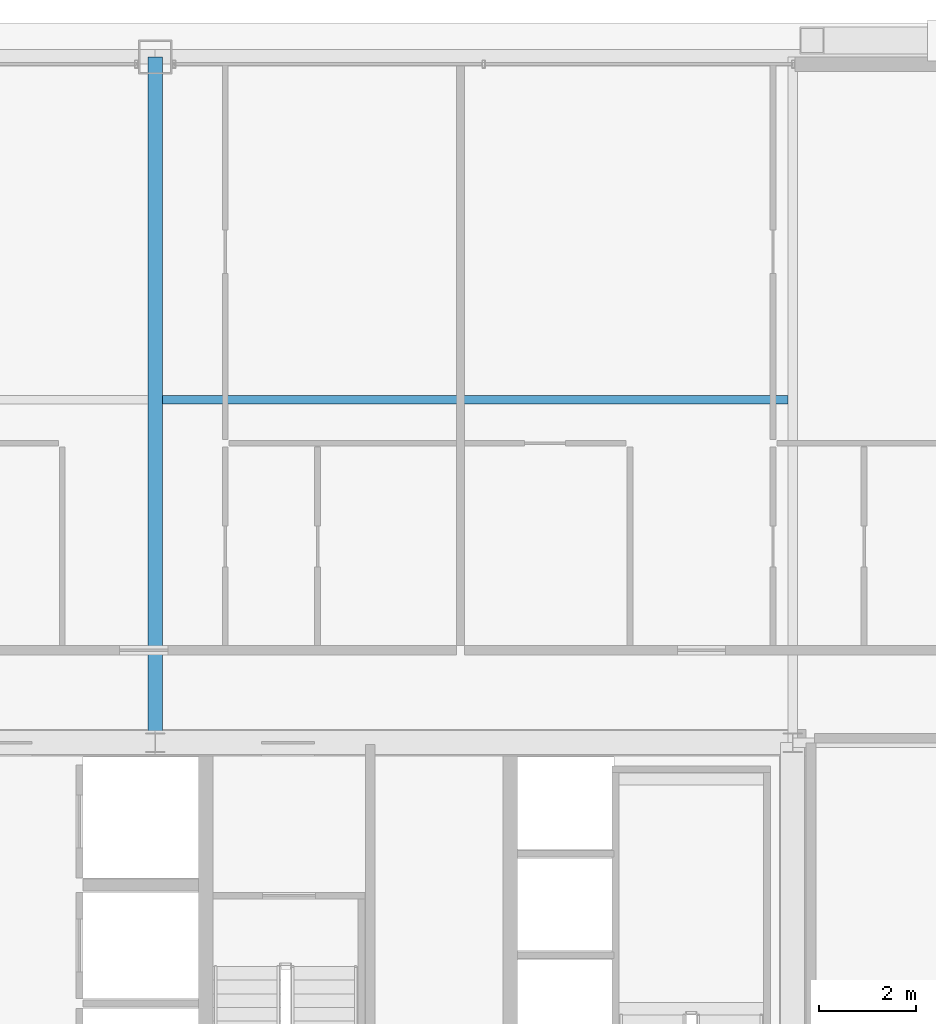
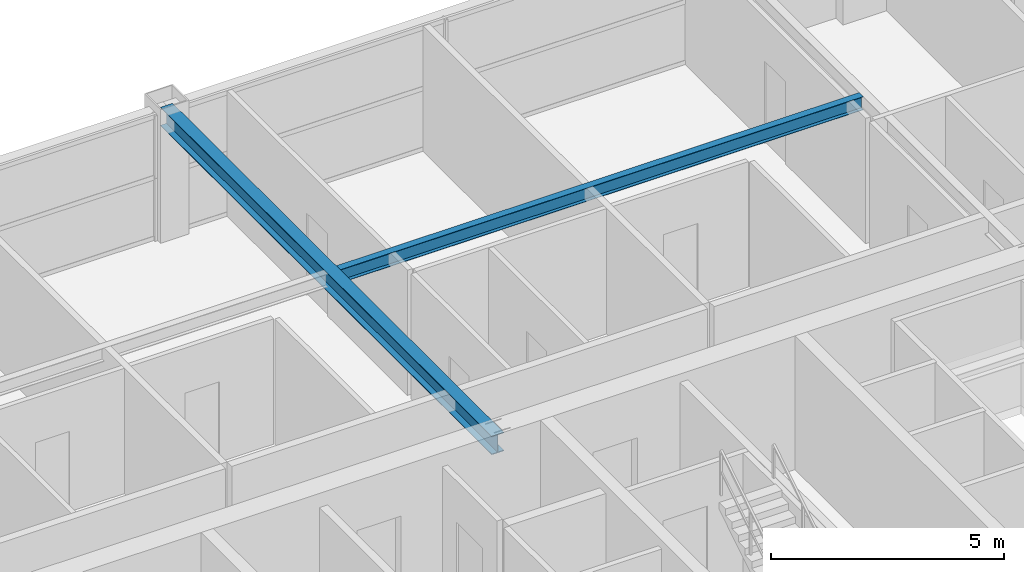
# One storey, part 25 of 35: 2 beams.
"""IFC4 building model written with IfcOpenShell, lengths in metres."""

from ifc_helpers import new_model, si_unit, direction, frame, origin, origin_2d, place, context, subcontext, project, spatial, i_section, extrude, source, transform, mapped, material, material_profile, profile_set, type_object, element, save


model = new_model("IFC4")

# Units and contexts
model_context = context("Model", 3, precision=1e-05, world=origin(), true_north=direction((0.0, 1.0)))
body_context = subcontext(model_context, "Body", "Model", "MODEL_VIEW")
ifc_project = project(units=[si_unit("LENGTHUNIT", "METRE"), si_unit("AREAUNIT", "SQUARE_METRE"), si_unit("VOLUMEUNIT", "CUBIC_METRE"), si_unit("PLANEANGLEUNIT", "RADIAN"), si_unit("MASSUNIT", "GRAM", prefix="KILO"), si_unit("THERMODYNAMICTEMPERATUREUNIT", "KELVIN"), si_unit("POWERUNIT", "WATT")], contexts=[model_context])

# Site, building, storey
site_placement = place(None, origin())
site = spatial("IfcSite", under=ifc_project, at=site_placement, CompositionType="ELEMENT")
building_placement = place(site_placement, origin())
building = spatial("IfcBuilding", under=site, at=building_placement, Name="Yuzanri Waterfront Tower", CompositionType="ELEMENT")
storey_placement = place(building_placement, frame((0.0, 0.0, 248.60009765625)))
storey = spatial("IfcBuildingStorey", under=building, at=storey_placement, Name="L66", CompositionType="ELEMENT", Elevation=248.60009765625)

# Beams
ifc_material_1 = material(Name="Steel Q355B", Category="steel")
ifc_material_profile_1 = material_profile(ifc_material_1, i_section(OverallWidth=0.300048828125, OverallDepth=0.488037109375, WebThickness=0.010986328125, FlangeThickness=0.01806640625, at=origin_2d()), Name="HM 488x300x11x18")
ifc_profile_set_1 = profile_set([ifc_material_profile_1], Name="Steel Q355B")
beam_type_1 = type_object("IfcBeamType", Name="Primary Floor Girder Q355B HM 488x300", PredefinedType="BEAM", material=ifc_profile_set_1)
shared_shape_1 = source(origin(), body_context, "Body", "SweptSolid", [
    extrude(i_section(OverallWidth=0.300048828125, OverallDepth=0.488037109375, WebThickness=0.010986328125, FlangeThickness=0.01806640625, at=origin_2d()), origin(), (0.0, 0.0, 1.0), 14.199951171875),
])
beam_1_placement = place(storey_placement, frame((37.0, 32.199951171875, 3.035888671875), z_axis=(0.0, 1.0, 0.0), x_axis=(-1.0, 0.0, 0.0)))
element("IfcBeam", 1, at=beam_1_placement, inside=storey, type_object=beam_type_1, Name="L66 North Grid Girder", PredefinedType="BEAM", context=body_context, shape_type="MappedRepresentation", body=[
    mapped(shared_shape_1, transform((0.0, 0.0, 0.0), scale=1.0)),
])
ifc_material_2 = material(Name="Steel Q355B", Category="steel")
ifc_material_profile_2 = material_profile(ifc_material_2, i_section(OverallWidth=0.175048828125, OverallDepth=0.35009765625, WebThickness=0.007080078125, FlangeThickness=0.010986328125, at=origin_2d()), Name="HN 350x175x7x11")
ifc_profile_set_2 = profile_set([ifc_material_profile_2], Name="Steel Q355B")
beam_type_2 = type_object("IfcBeamType", Name="Floor Joist Q355B HN 350x175", PredefinedType="JOIST", material=ifc_profile_set_2)
shared_shape_2 = source(origin(), body_context, "Body", "SweptSolid", [
    extrude(i_section(OverallWidth=0.175048828125, OverallDepth=0.35009765625, WebThickness=0.007080078125, FlangeThickness=0.010986328125, at=origin_2d()), origin(), (0.0, 0.0, 1.0), 12.9501953125),
])
beam_2_placement = place(storey_placement, frame((37.14990234375, 39.300048828125, 3.10498046875), z_axis=(1.0, 0.0, 0.0), x_axis=(0.0, 1.0, 0.0)))
element("IfcBeam", 2, at=beam_2_placement, inside=storey, type_object=beam_type_2, Name="L66 North Bay Joist E", PredefinedType="JOIST", context=body_context, shape_type="MappedRepresentation", body=[
    mapped(shared_shape_2, transform((0.0, 0.0, 0.0), scale=1.0)),
])

save(model, "model.ifc")
